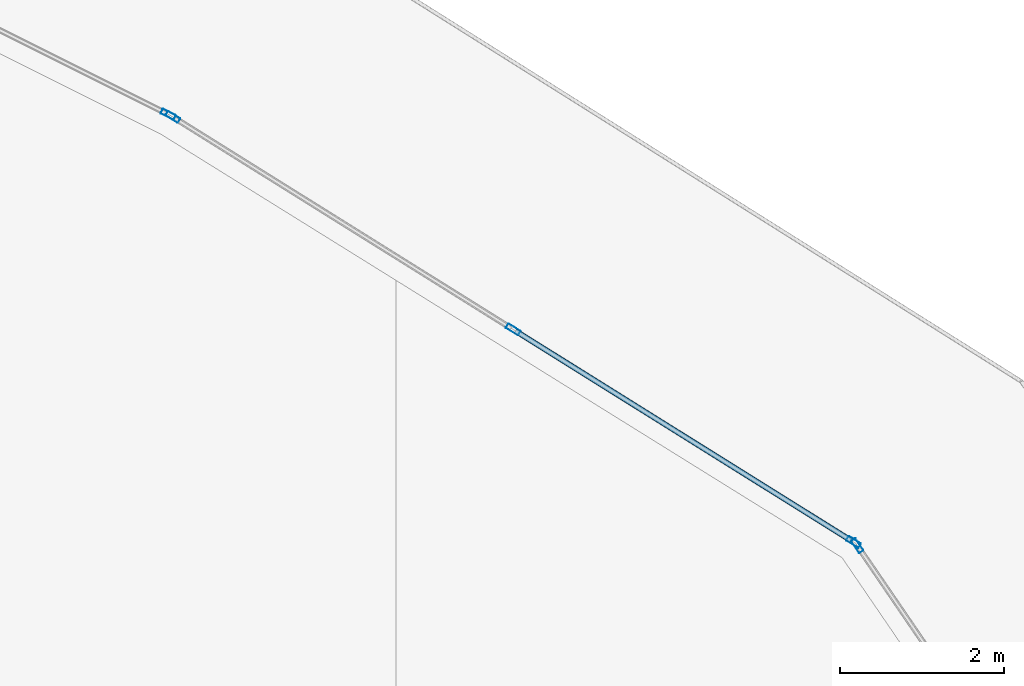
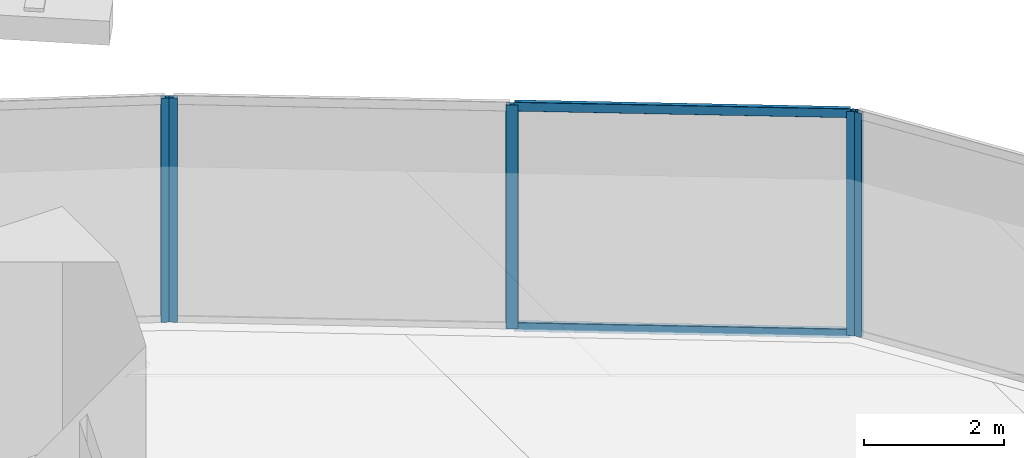
# One storey, part 22 of 44: 7 members, 3 elements without a shape of their own.
"""IFC4 building model written with IfcOpenShell, lengths in metres."""

from ifc_helpers import new_model, si_unit, direction, frame, origin, origin_2d, place, context, subcontext, project, spatial, hollow_rectangle, extrude, material, layer, layer_set, material_profile, profile_set, type_object, element, aggregate, save


model = new_model("IFC4")

# Units and contexts
model_context = context("Model", 3, precision=1e-05, world=origin(), true_north=direction((0.0, 1.0)))
body_context = subcontext(model_context, "Body", "Model", "MODEL_VIEW")
ifc_project = project(units=[si_unit("LENGTHUNIT", "METRE"), si_unit("AREAUNIT", "SQUARE_METRE"), si_unit("VOLUMEUNIT", "CUBIC_METRE"), si_unit("PLANEANGLEUNIT", "RADIAN"), si_unit("MASSUNIT", "GRAM", prefix="KILO")], contexts=[model_context])

# Site, building, storey
site_placement = place(None, origin())
site = spatial("IfcSite", under=ifc_project, at=site_placement, CompositionType="ELEMENT")
building_placement = place(site_placement, origin())
building = spatial("IfcBuilding", under=site, at=building_placement, Name="Qorvath Tower", CompositionType="ELEMENT")
storey_placement = place(building_placement, frame((0.0, 0.0, 57.60009765625)))
storey = spatial("IfcBuildingStorey", under=building, at=storey_placement, Name="L12", CompositionType="ELEMENT", Elevation=57.60009765625)

# Curtain wall, member
ifc_material_1 = material(Name="Anodised aluminium and triple low-E glass", Category="aluminium")
ifc_layer = layer(ifc_material_1, 0.179931640625)
ifc_layer_set = layer_set([ifc_layer], Name="CW-SYS-2")
curtain_wall_type = type_object("IfcCurtainWallType", Name="CW-SYS-2", PredefinedType="NOTDEFINED", material=ifc_layer_set)
curtain_wall_1_placement = place(storey_placement, origin())
curtain_wall_1 = element("IfcCurtainWall", 1, at=curtain_wall_1_placement, inside=storey, type_object=curtain_wall_type, Name="Curtain Wall CW-2 CW-T-L12-13.1", PredefinedType="NOTDEFINED")
ifc_material_2 = material(Name="Anodised aluminium 6063-T6", Category="aluminium")
ifc_material_profile_1 = material_profile(ifc_material_2, hollow_rectangle(XDim=0.06494140625, YDim=0.179931640625, WallThickness=0.00341796875, InnerFilletRadius=0.00341796875, OuterFilletRadius=0.007080078125, at=origin_2d()), Name="CWM 180x65")
ifc_profile_set_1 = profile_set([ifc_material_profile_1], Name="Anodised aluminium 6063-T6")
member_type_1 = type_object("IfcMemberType", Name="CWM-180", PredefinedType="MULLION", material=ifc_profile_set_1)
member_1_placement = place(storey_placement, frame((-2.011962890625, 25.2470703125, 0.0), z_axis=(0.0, 0.0, 1.0), x_axis=(-0.825808847881, -0.563950127903, 0.0)))
member_1 = element("IfcMember", 2, at=member_1_placement, type_object=member_type_1, Name="CW-2 mullion 2", PredefinedType="MULLION", context=body_context, shape_type="SweptSolid", body=[
    extrude(hollow_rectangle(XDim=0.06494140625, YDim=0.179931640625, WallThickness=0.00341796875, InnerFilletRadius=0.00341796875, OuterFilletRadius=0.007080078125, at=origin_2d()), origin(), (0.0, 0.0, 1.0), 3.919921875),
])
aggregate(curtain_wall_1, [member_1])

# Curtain wall, members
curtain_wall_2_placement = place(storey_placement, origin())
curtain_wall_2 = element("IfcCurtainWall", 3, at=curtain_wall_2_placement, inside=storey, type_object=curtain_wall_type, Name="Curtain Wall CW-2 CW-T-L12-14.1", PredefinedType="NOTDEFINED")
member_2_placement = place(storey_placement, frame((-2.057861328125, 25.291015625, 0.0), z_axis=(0.0, 0.0, 1.0), x_axis=(-0.529691684986, -0.848190261001, 0.0)))
member_2 = element("IfcMember", 4, at=member_2_placement, type_object=member_type_1, Name="CW-2 mullion 1", PredefinedType="MULLION", context=body_context, shape_type="SweptSolid", body=[
    extrude(hollow_rectangle(XDim=0.06494140625, YDim=0.179931640625, WallThickness=0.00341796875, InnerFilletRadius=0.00341796875, OuterFilletRadius=0.007080078125, at=origin_2d()), origin(), (0.0, 0.0, 1.0), 3.919921875),
])
member_3_placement = place(storey_placement, frame((-6.199462890625, 27.87744140625, 0.0), z_axis=(0.0, 0.0, 1.0), x_axis=(-0.529691684986, -0.848190261001, 0.0)))
member_3 = element("IfcMember", 5, at=member_3_placement, type_object=member_type_1, Name="CW-2 mullion 2", PredefinedType="MULLION", context=body_context, shape_type="SweptSolid", body=[
    extrude(hollow_rectangle(XDim=0.06494140625, YDim=0.179931640625, WallThickness=0.00341796875, InnerFilletRadius=0.00341796875, OuterFilletRadius=0.007080078125, at=origin_2d()), origin(), (0.0, 0.0, 1.0), 3.919921875),
])
member_4_placement = place(storey_placement, frame((-10.341064453125, 30.4638671875, 0.0), z_axis=(0.0, 0.0, 1.0), x_axis=(-0.529691684986, -0.848190261001, 0.0)))
member_4 = element("IfcMember", 6, at=member_4_placement, type_object=member_type_1, Name="CW-2 mullion 3", PredefinedType="MULLION", context=body_context, shape_type="SweptSolid", body=[
    extrude(hollow_rectangle(XDim=0.06494140625, YDim=0.179931640625, WallThickness=0.00341796875, InnerFilletRadius=0.00341796875, OuterFilletRadius=0.007080078125, at=origin_2d()), origin(), (0.0, 0.0, 1.0), 3.919921875),
])

# Curtain wall, member
curtain_wall_3_placement = place(storey_placement, origin())
curtain_wall_3 = element("IfcCurtainWall", 7, at=curtain_wall_3_placement, inside=storey, type_object=curtain_wall_type, Name="Curtain Wall CW-2 CW-T-L12-15.1", PredefinedType="NOTDEFINED")
member_5_placement = place(storey_placement, frame((-10.397705078125, 30.495849609375, 0.0), z_axis=(0.0, 0.0, 1.0), x_axis=(-0.447213595499, -0.894427191001, 0.0)))
member_5 = element("IfcMember", 8, at=member_5_placement, type_object=member_type_1, Name="CW-2 mullion 1", PredefinedType="MULLION", context=body_context, shape_type="SweptSolid", body=[
    extrude(hollow_rectangle(XDim=0.06494140625, YDim=0.179931640625, WallThickness=0.00341796875, InnerFilletRadius=0.00341796875, OuterFilletRadius=0.007080078125, at=origin_2d()), origin(), (0.0, 0.0, 1.0), 3.919921875),
])
aggregate(curtain_wall_3, [member_5])

# Member
ifc_material_3 = material(Name="Anodised aluminium 6063-T6", Category="aluminium")
ifc_material_profile_2 = material_profile(ifc_material_3, hollow_rectangle(XDim=0.06494140625, YDim=0.159912109375, WallThickness=0.00341796875, InnerFilletRadius=0.00341796875, OuterFilletRadius=0.007080078125, at=origin_2d()), Name="CWT 160x65")
ifc_profile_set_2 = profile_set([ifc_material_profile_2], Name="Anodised aluminium 6063-T6")
member_type_2 = type_object("IfcMemberType", Name="CWT-160", PredefinedType="USERDEFINED", material=ifc_profile_set_2)
member_6_placement = place(storey_placement, frame((-2.08544921875, 25.308349609375, 0.032470703125), z_axis=(-0.848186144124, 0.529698277245, 0.0), x_axis=(-0.529698277245, -0.848186144124, 0.0)))
member_6 = element("IfcMember", 9, at=member_6_placement, type_object=member_type_2, Name="CW-2 transom 1.1", ObjectType="TRANSOM", PredefinedType="USERDEFINED", context=body_context, shape_type="SweptSolid", body=[
    extrude(hollow_rectangle(XDim=0.06494140625, YDim=0.159912109375, WallThickness=0.00341796875, InnerFilletRadius=0.00341796875, OuterFilletRadius=0.007080078125, at=origin_2d()), origin(), (0.0, 0.0, 1.0), 4.81787109375),
])

member_7_placement = place(storey_placement, frame((-2.08544921875, 25.308349609375, 3.887451171875), z_axis=(-0.848186144124, 0.529698277245, 0.0), x_axis=(-0.529698277245, -0.848186144124, 0.0)))
member_7 = element("IfcMember", 10, at=member_7_placement, type_object=member_type_2, Name="CW-2 transom 1.2", ObjectType="TRANSOM", PredefinedType="USERDEFINED", context=body_context, shape_type="SweptSolid", body=[
    extrude(hollow_rectangle(XDim=0.06494140625, YDim=0.159912109375, WallThickness=0.00341796875, InnerFilletRadius=0.00341796875, OuterFilletRadius=0.007080078125, at=origin_2d()), origin(), (0.0, 0.0, 1.0), 4.81787109375),
])

aggregate(curtain_wall_2, [member_2, member_3, member_4, member_6, member_7])

save(model, "model.ifc")
